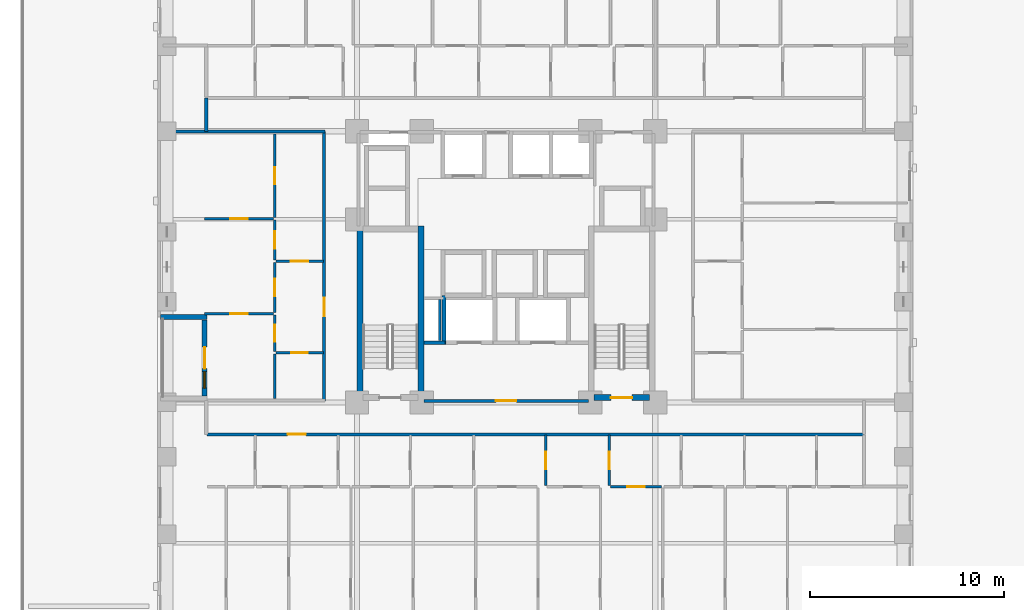
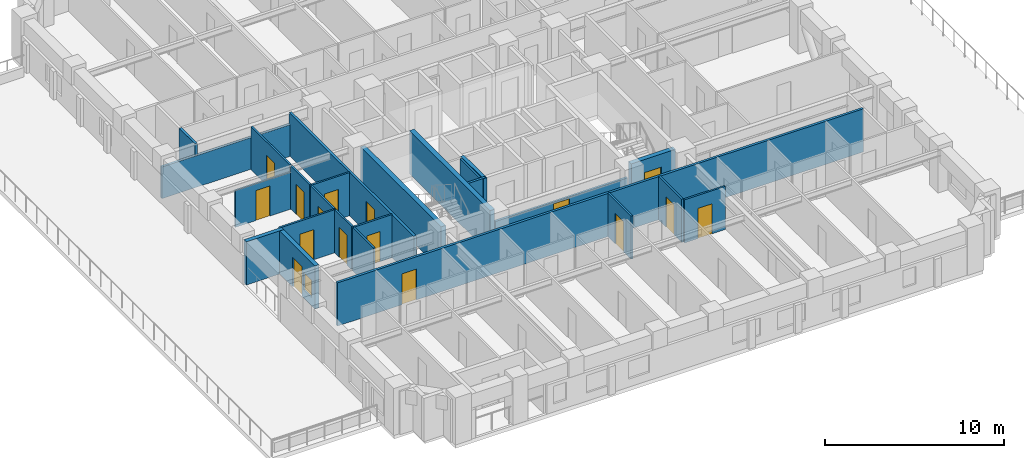
# One storey, part 4 of 14: 25 walls, 16 doors, 1 window, 17 openings.
"""IFC4 building model written with IfcOpenShell, lengths in metres."""

from ifc_helpers import new_model, si_unit, derived_unit, direction, frame, frame_2d, origin, place, context, subcontext, project, spatial, rectangle, extrude, material, layer, layer_set, type_object, element, fill, save


model = new_model("IFC4")

# Units and contexts
model_context = context("Model", 3, precision=1e-05, world=origin(), true_north=direction((0.0, 1.0)))
body_context = subcontext(model_context, "Body", "Model", "MODEL_VIEW")
ifc_project = project(units=[si_unit("LENGTHUNIT", "METRE"), si_unit("AREAUNIT", "SQUARE_METRE"), si_unit("VOLUMEUNIT", "CUBIC_METRE"), si_unit("PLANEANGLEUNIT", "RADIAN"), si_unit("MASSUNIT", "GRAM", prefix="KILO"), derived_unit("THERMALTRANSMITTANCEUNIT", [(si_unit("MASSUNIT", "GRAM", prefix="KILO"), 1), (si_unit("TIMEUNIT", "SECOND"), -3), (si_unit("THERMODYNAMICTEMPERATUREUNIT", "KELVIN"), -1)])], contexts=[model_context])

# Site, building, storey
site_placement = place(None, origin())
site = spatial("IfcSite", under=ifc_project, at=site_placement, CompositionType="ELEMENT")
building_placement = place(site_placement, origin())
building = spatial("IfcBuilding", under=site, at=building_placement, Name="Korrvale Station Residences", CompositionType="ELEMENT")
storey_placement = place(building_placement, frame((0.0, 0.0, 25.800048828125)))
storey = spatial("IfcBuildingStorey", under=building, at=storey_placement, Name="L05", CompositionType="ELEMENT", Elevation=25.800048828125)

# Walls
ifc_material_1 = material(Name="Concrete C70/85", Category="concrete")
ifc_layer_1 = layer(ifc_material_1, 0.300048828125, Name="Concrete C70/85")
ifc_layer_set_1 = layer_set([ifc_layer_1], Name="Concrete C70/85")
wall_type_1 = type_object("IfcWallType", Name="WAL-CORE-300-C70", PredefinedType="SHEAR", material=ifc_layer_set_1)
for number, where, z_axis, x_axis, name in (
    (1, (17.949951171875, 15.10009765625, 0.0), (0.0, 0.0, 1.0), (0.0, 1.0, 0.0), "L05 ST-1 Core Shear Wall West"),
    (2, (21.10009765625, 15.10009765625, 0.0), (0.0, 0.0, 1.0), (0.0, 1.0, 0.0), "L05 ST-1 Core Shear Wall East"),
):
    element("IfcWall", number, at=place(storey_placement, frame(where, z_axis=z_axis, x_axis=x_axis)), inside=storey, type_object=wall_type_1, Name=name, PredefinedType="SHEAR", context=body_context, shape_type="SweptSolid", body=[
        extrude(rectangle(XDim=9.0, YDim=0.300048828125, at=frame_2d((4.5, 0.0))), origin(), (0.0, 0.0, 1.0), 2.93994140625),
    ])

# Wall, opening, door
wall_1_placement = place(storey_placement, frame((30.050048828125, 15.25, 0.0), z_axis=(0.0, 0.0, 1.0), x_axis=(1.0, 0.0, 0.0)))
wall_1 = element("IfcWall", 3, at=wall_1_placement, inside=storey, type_object=wall_type_1, Name="L05 ST-2 Core Shear Wall South", PredefinedType="SHEAR", context=body_context, shape_type="SweptSolid", body=[
    extrude(rectangle(XDim=2.849853515625, YDim=0.300048828125, at=frame_2d((1.4248046875, 0.0))), origin(), (0.0, 0.0, 1.0), 2.93994140625),
])
opening_1_placement = place(wall_1_placement, frame((0.860107421875, 0.0, 0.0)))
opening_1 = element("IfcOpeningElement", 4, at=opening_1_placement, cuts=wall_1, Name="Opening SD-1100", PredefinedType="OPENING", context=body_context, shape_type="SweptSolid", body=[
    extrude(rectangle(XDim=1.10009765625, YDim=2.050048828125, at=frame_2d((0.550048828125, 1.02490234375))), frame((0.0, 0.16015625, 0.0), z_axis=(0.0, -1.0, 0.0), x_axis=(1.0, 0.0, 0.0)), (0.0, 0.0, 1.0), 0.320068359375),
])
ifc_material_2 = material(Name="Hollow-metal fire-rated stair door with closer", Category="steel")
door_type_1 = type_object("IfcDoorType", Name="DR-STAIR-1100", OperationType="NOTDEFINED", PredefinedType="DOOR", material=ifc_material_2)
door_1_placement = place(opening_1_placement, origin())
door_1 = element("IfcDoor", 5, at=door_1_placement, inside=storey, type_object=door_type_1, Name="L05 ST-2 Exit Stair Door", OperationType="SINGLE_SWING_RIGHT", OverallHeight=2.050048828125, OverallWidth=1.10009765625, PredefinedType="DOOR", context=body_context, shape_type="SweptSolid", body=[
    extrude(rectangle(XDim=1.10009765625, YDim=2.050048828125, at=frame_2d((0.550048828125, 1.02490234375))), frame((0.0, 0.02490234375, 0.0), z_axis=(0.0, -1.0, 0.0), x_axis=(1.0, 0.0, 0.0)), (0.0, 0.0, 1.0), 0.050048828125),
])
fill(opening_1, door_1)

# Wall, openings, door, window
ifc_material_3 = material(Name="Precast concrete C45/55", Category="concrete")
ifc_layer_2 = layer(ifc_material_3, 0.260009765625, Name="Precast concrete C45/55")
ifc_layer_set_2 = layer_set([ifc_layer_2], Name="Precast concrete C45/55")
wall_type_2 = type_object("IfcWallType", Name="WAL-EXT-LOG260", PredefinedType="SOLIDWALL", material=ifc_layer_set_2)
wall_2_placement = place(storey_placement, frame((9.929931640625, 15.333984375, 0.0), z_axis=(0.0, 0.0, 1.0), x_axis=(0.0, 1.0, 0.0)))
wall_2 = element("IfcWall", 6, at=wall_2_placement, inside=storey, type_object=wall_type_2, Name="L05 Recessed Loggia Wall BAL-L05-W1-B", PredefinedType="SOLIDWALL", context=body_context, shape_type="SweptSolid", body=[
    extrude(rectangle(XDim=3.93212890625, YDim=0.260009765625, at=frame_2d((1.966064453125, 0.0))), origin(), (0.0, 0.0, 1.0), 2.93994140625),
])
opening_2_placement = place(wall_2_placement, frame((1.416015625, 0.0, 0.0)))
opening_2 = element("IfcOpeningElement", 7, at=opening_2_placement, cuts=wall_2, Name="Opening BD-01", PredefinedType="OPENING", context=body_context, shape_type="SweptSolid", body=[
    extrude(rectangle(XDim=1.10009765625, YDim=2.0, at=frame_2d((0.550048828125, 1.0))), frame((0.0, 0.14013671875, 0.0), z_axis=(0.0, -1.0, 0.0), x_axis=(1.0, 0.0, 0.0)), (0.0, 0.0, 1.0), 0.280029296875),
])
opening_3_placement = place(wall_2_placement, frame((0.406005859375, 0.0, 0.550048828125)))
opening_3 = element("IfcOpeningElement", 8, at=opening_3_placement, cuts=wall_2, Name="Opening W-11", PredefinedType="OPENING", context=body_context, shape_type="SweptSolid", body=[
    extrude(rectangle(XDim=0.85009765625, YDim=1.199951171875, at=frame_2d((0.425048828125, 0.60009765625))), frame((0.0, 0.14013671875, 0.0), z_axis=(0.0, -1.0, 0.0), x_axis=(1.0, 0.0, 0.0)), (0.0, 0.0, 1.0), 0.280029296875),
])
ifc_material_4 = material(Name="Exterior thermally broken aluminium glazed balcony door", Category="aluminium")
door_type_2 = type_object("IfcDoorType", Name="DR-EXT-BAL", OperationType="NOTDEFINED", PredefinedType="DOOR", material=ifc_material_4)
door_2_placement = place(opening_2_placement, origin())
door_2 = element("IfcDoor", 9, at=door_2_placement, inside=storey, type_object=door_type_2, Name="L05 Loggia Balcony Door BAL-L05-W1", OperationType="SINGLE_SWING_LEFT", OverallHeight=2.0, OverallWidth=1.10009765625, PredefinedType="DOOR", context=body_context, shape_type="SweptSolid", body=[
    extrude(rectangle(XDim=1.10009765625, YDim=2.0, at=frame_2d((0.550048828125, 1.0))), frame((0.0, 0.02490234375, 0.0), z_axis=(0.0, -1.0, 0.0), x_axis=(1.0, 0.0, 0.0)), (0.0, 0.0, 1.0), 0.050048828125),
])
fill(opening_2, door_2)
ifc_material_5 = material(Name="Thermally broken aluminium frame with triple low-e glazing", Category="aluminium")
window_type = type_object("IfcWindowType", Name="WIN-W11", PartitioningType="SINGLE_PANEL", PredefinedType="WINDOW", material=ifc_material_5)
window_placement = place(opening_3_placement, origin())
window = element("IfcWindow", 10, at=window_placement, inside=storey, type_object=window_type, Name="L05 Punched Window 23", OverallHeight=1.199951171875, OverallWidth=0.85009765625, PartitioningType="SINGLE_PANEL", PredefinedType="WINDOW", context=body_context, shape_type="SweptSolid", body=[
    extrude(rectangle(XDim=0.85009765625, YDim=1.199951171875, at=frame_2d((0.425048828125, 0.60009765625))), frame((0.0, 0.030029296875, 0.0), z_axis=(0.0, -1.0, 0.0), x_axis=(1.0, 0.0, 0.0)), (0.0, 0.0, 1.0), 0.06005859375),
])
fill(opening_3, window)

# Walls
wall_3_placement = place(storey_placement, frame((10.06005859375, 19.39990234375, 0.0), z_axis=(0.0, 0.0, 1.0), x_axis=(-1.0, 0.0, 0.0)))
element("IfcWall", 11, at=wall_3_placement, inside=storey, type_object=wall_type_2, Name="L05 Recessed Loggia Wall BAL-L05-W1-R", PredefinedType="SOLIDWALL", context=body_context, shape_type="SweptSolid", body=[
    extrude(rectangle(XDim=2.400146484375, YDim=0.260009765625, at=frame_2d((1.2001953125, 0.0))), origin(), (0.0, 0.0, 1.0), 2.93994140625),
])
ifc_material_6 = material(Name="Acoustic steel-stud gypsum board partition", Category="steel")
ifc_layer_3 = layer(ifc_material_6, 0.1201171875, Name="Acoustic steel-stud gypsum board partition")
ifc_layer_set_3 = layer_set([ifc_layer_3], Name="Acoustic steel-stud gypsum board partition")
wall_type_3 = type_object("IfcWallType", Name="WAL-PART-125", PredefinedType="PARTITIONING", material=ifc_layer_set_3)
wall_4_placement = place(storey_placement, frame((22.080078125, 18.199951171875, 0.0), z_axis=(0.0, 0.0, 1.0), x_axis=(0.0, 1.0, 0.0)))
element("IfcWall", 12, at=wall_4_placement, inside=storey, type_object=wall_type_3, Name="L05 Core Partition CW-RSWT", PredefinedType="PARTITIONING", context=body_context, shape_type="SweptSolid", body=[
    extrude(rectangle(XDim=2.1201171875, YDim=0.1201171875, at=frame_2d((1.06005859375, 0.0))), origin(), (0.0, 0.0, 1.0), 2.93994140625),
])

# Wall, opening, door
wall_5_placement = place(storey_placement, frame((27.550048828125, 10.7099609375, 0.0), z_axis=(0.0, 0.0, 1.0), x_axis=(0.0, 1.0, 0.0)))
wall_5 = element("IfcWall", 13, at=wall_5_placement, inside=storey, type_object=wall_type_3, Name="L05 Suite Partition U01-V45", PredefinedType="PARTITIONING", context=body_context, shape_type="SweptSolid", body=[
    extrude(rectangle(XDim=2.60009765625, YDim=0.1201171875, at=frame_2d((1.300048828125, 0.0))), origin(), (0.0, 0.0, 1.0), 2.93994140625),
])
opening_4_placement = place(wall_5_placement, frame((0.85009765625, 0.0, 0.0)))
opening_4 = element("IfcOpeningElement", 14, at=opening_4_placement, cuts=wall_5, Name="Opening DI-900", PredefinedType="OPENING", context=body_context, shape_type="SweptSolid", body=[
    extrude(rectangle(XDim=0.89990234375, YDim=2.050048828125, at=frame_2d((0.449951171875, 1.02490234375))), frame((0.0, 0.070068359375, 0.0), z_axis=(0.0, -1.0, 0.0), x_axis=(1.0, 0.0, 0.0)), (0.0, 0.0, 1.0), 0.14013671875),
])
ifc_material_7 = material(Name="Painted solid-core timber interior room door", Category="wood")
door_type_3 = type_object("IfcDoorType", Name="DR-INT-900", OperationType="NOTDEFINED", PredefinedType="DOOR", material=ifc_material_7)
door_3_placement = place(opening_4_placement, origin())
door_3 = element("IfcDoor", 15, at=door_3_placement, inside=storey, type_object=door_type_3, Name="L05 Studio Apartment L05-U01 Storage Closet 3 Door", OperationType="SINGLE_SWING_LEFT", OverallHeight=2.050048828125, OverallWidth=0.89990234375, PredefinedType="DOOR", context=body_context, shape_type="SweptSolid", body=[
    extrude(rectangle(XDim=0.89990234375, YDim=2.050048828125, at=frame_2d((0.449951171875, 1.02490234375))), frame((0.0, 0.02490234375, 0.0), z_axis=(0.0, -1.0, 0.0), x_axis=(1.0, 0.0, 0.0)), (0.0, 0.0, 1.0), 0.050048828125),
])
fill(opening_4, door_3)

wall_6_placement = place(storey_placement, frame((30.820068359375, 10.7099609375, 0.0), z_axis=(0.0, 0.0, 1.0), x_axis=(0.0, 1.0, 0.0)))
wall_6 = element("IfcWall", 16, at=wall_6_placement, inside=storey, type_object=wall_type_3, Name="L05 Suite Partition U01-V56", PredefinedType="PARTITIONING", context=body_context, shape_type="SweptSolid", body=[
    extrude(rectangle(XDim=2.60009765625, YDim=0.1201171875, at=frame_2d((1.300048828125, 0.0))), origin(), (0.0, 0.0, 1.0), 2.93994140625),
])
opening_5_placement = place(wall_6_placement, frame((0.85009765625, 0.0, 0.0)))
opening_5 = element("IfcOpeningElement", 17, at=opening_5_placement, cuts=wall_6, Name="Opening DI-900", PredefinedType="OPENING", context=body_context, shape_type="SweptSolid", body=[
    extrude(rectangle(XDim=0.89990234375, YDim=2.050048828125, at=frame_2d((0.449951171875, 1.02490234375))), frame((0.0, 0.070068359375, 0.0), z_axis=(0.0, -1.0, 0.0), x_axis=(1.0, 0.0, 0.0)), (0.0, 0.0, 1.0), 0.14013671875),
])
door_4_placement = place(opening_5_placement, origin())
door_4 = element("IfcDoor", 18, at=door_4_placement, inside=storey, type_object=door_type_3, Name="L05 Studio Apartment L05-U01 Storage Closet 4 Door", OperationType="SINGLE_SWING_LEFT", OverallHeight=2.050048828125, OverallWidth=0.89990234375, PredefinedType="DOOR", context=body_context, shape_type="SweptSolid", body=[
    extrude(rectangle(XDim=0.89990234375, YDim=2.050048828125, at=frame_2d((0.449951171875, 1.02490234375))), frame((0.0, 0.02490234375, 0.0), z_axis=(0.0, -1.0, 0.0), x_axis=(1.0, 0.0, 0.0)), (0.0, 0.0, 1.0), 0.050048828125),
])
fill(opening_5, door_4)

wall_7_placement = place(storey_placement, frame((30.8798828125, 10.64990234375, 0.0), z_axis=(0.0, 0.0, 1.0), x_axis=(1.0, 0.0, 0.0)))
wall_7 = element("IfcWall", 19, at=wall_7_placement, inside=storey, type_object=wall_type_3, Name="L05 Suite Partition U01-H617", PredefinedType="PARTITIONING", context=body_context, shape_type="SweptSolid", body=[
    extrude(rectangle(XDim=2.650146484375, YDim=0.1201171875, at=frame_2d((1.3251953125, 0.0))), origin(), (0.0, 0.0, 1.0), 2.93994140625),
])
opening_6_placement = place(wall_7_placement, frame((0.875, 0.0, 0.0)))
opening_6 = element("IfcOpeningElement", 20, at=opening_6_placement, cuts=wall_7, Name="Opening DI-900", PredefinedType="OPENING", context=body_context, shape_type="SweptSolid", body=[
    extrude(rectangle(XDim=0.89990234375, YDim=2.050048828125, at=frame_2d((0.449951171875, 1.02490234375))), frame((0.0, 0.070068359375, 0.0), z_axis=(0.0, -1.0, 0.0), x_axis=(1.0, 0.0, 0.0)), (0.0, 0.0, 1.0), 0.14013671875),
])
door_5_placement = place(opening_6_placement, origin())
door_5 = element("IfcDoor", 21, at=door_5_placement, inside=storey, type_object=door_type_3, Name="L05 Studio Apartment L05-U01 Storage Closet 5 Door", OperationType="SINGLE_SWING_RIGHT", OverallHeight=2.050048828125, OverallWidth=0.89990234375, PredefinedType="DOOR", context=body_context, shape_type="SweptSolid", body=[
    extrude(rectangle(XDim=0.89990234375, YDim=2.050048828125, at=frame_2d((0.449951171875, 1.02490234375))), frame((0.0, 0.02490234375, 0.0), z_axis=(0.0, -1.0, 0.0), x_axis=(1.0, 0.0, 0.0)), (0.0, 0.0, 1.0), 0.050048828125),
])
fill(opening_6, door_5)

wall_8_placement = place(storey_placement, frame((13.610107421875, 22.2900390625, 0.0), z_axis=(0.0, 0.0, 1.0), x_axis=(1.0, 0.0, 0.0)))
wall_8 = element("IfcWall", 22, at=wall_8_placement, inside=storey, type_object=wall_type_3, Name="L05 Suite Partition U04-H02", PredefinedType="PARTITIONING", context=body_context, shape_type="SweptSolid", body=[
    extrude(rectangle(XDim=2.449951171875, YDim=0.1201171875, at=frame_2d((1.22509765625, 0.0))), origin(), (0.0, 0.0, 1.0), 2.93994140625),
])
opening_7_placement = place(wall_8_placement, frame((0.77490234375, 0.0, 0.0)))
opening_7 = element("IfcOpeningElement", 23, at=opening_7_placement, cuts=wall_8, Name="Opening DI-900", PredefinedType="OPENING", context=body_context, shape_type="SweptSolid", body=[
    extrude(rectangle(XDim=0.89990234375, YDim=2.050048828125, at=frame_2d((0.449951171875, 1.02490234375))), frame((0.0, 0.070068359375, 0.0), z_axis=(0.0, -1.0, 0.0), x_axis=(1.0, 0.0, 0.0)), (0.0, 0.0, 1.0), 0.14013671875),
])
door_6_placement = place(opening_7_placement, origin())
door_6 = element("IfcDoor", 24, at=door_6_placement, inside=storey, type_object=door_type_3, Name="L05 Apartment 2BR L05-U04 Wardrobe Storage Room Door", OperationType="SINGLE_SWING_LEFT", OverallHeight=2.050048828125, OverallWidth=0.89990234375, PredefinedType="DOOR", context=body_context, shape_type="SweptSolid", body=[
    extrude(rectangle(XDim=0.89990234375, YDim=2.050048828125, at=frame_2d((0.449951171875, 1.02490234375))), frame((0.0, 0.02490234375, 0.0), z_axis=(0.0, -1.0, 0.0), x_axis=(1.0, 0.0, 0.0)), (0.0, 0.0, 1.0), 0.050048828125),
])
fill(opening_7, door_6)

wall_9_placement = place(storey_placement, frame((13.550048828125, 22.35009765625, 0.0), z_axis=(0.0, 0.0, 1.0), x_axis=(0.0, 1.0, 0.0)))
wall_9 = element("IfcWall", 25, at=wall_9_placement, inside=storey, type_object=wall_type_3, Name="L05 Suite Partition U04-V04", PredefinedType="PARTITIONING", context=body_context, shape_type="SweptSolid", body=[
    extrude(rectangle(XDim=2.081787109375, YDim=0.1201171875, at=frame_2d((1.041015625, 0.0))), origin(), (0.0, 0.0, 1.0), 2.93994140625),
])
opening_8_placement = place(wall_9_placement, frame((0.591064453125, 0.0, 0.0)))
opening_8 = element("IfcOpeningElement", 26, at=opening_8_placement, cuts=wall_9, Name="Opening DI-900", PredefinedType="OPENING", context=body_context, shape_type="SweptSolid", body=[
    extrude(rectangle(XDim=0.89990234375, YDim=2.050048828125, at=frame_2d((0.449951171875, 1.02490234375))), frame((0.0, 0.070068359375, 0.0), z_axis=(0.0, -1.0, 0.0), x_axis=(1.0, 0.0, 0.0)), (0.0, 0.0, 1.0), 0.14013671875),
])
door_7_placement = place(opening_8_placement, origin())
door_7 = element("IfcDoor", 27, at=door_7_placement, inside=storey, type_object=door_type_3, Name="L05 Apartment 2BR L05-U04 Wardrobe Storage Room Door", OperationType="SINGLE_SWING_RIGHT", OverallHeight=2.050048828125, OverallWidth=0.89990234375, PredefinedType="DOOR", context=body_context, shape_type="SweptSolid", body=[
    extrude(rectangle(XDim=0.89990234375, YDim=2.050048828125, at=frame_2d((0.449951171875, 1.02490234375))), frame((0.0, 0.02490234375, 0.0), z_axis=(0.0, -1.0, 0.0), x_axis=(1.0, 0.0, 0.0)), (0.0, 0.0, 1.0), 0.050048828125),
])
fill(opening_8, door_7)

wall_10_placement = place(storey_placement, frame((13.550048828125, 24.552001953125, 0.0), z_axis=(0.0, 0.0, 1.0), x_axis=(0.0, 1.0, 0.0)))
wall_10 = element("IfcWall", 28, at=wall_10_placement, inside=storey, type_object=wall_type_3, Name="L05 Suite Partition U04-V05", PredefinedType="PARTITIONING", context=body_context, shape_type="SweptSolid", body=[
    extrude(rectangle(XDim=4.30810546875, YDim=0.1201171875, at=frame_2d((2.154052734375, 0.0))), origin(), (0.0, 0.0, 1.0), 2.93994140625),
])
opening_9_placement = place(wall_10_placement, frame((1.7041015625, 0.0, 0.0)))
opening_9 = element("IfcOpeningElement", 29, at=opening_9_placement, cuts=wall_10, Name="Opening DI-900", PredefinedType="OPENING", context=body_context, shape_type="SweptSolid", body=[
    extrude(rectangle(XDim=0.89990234375, YDim=2.050048828125, at=frame_2d((0.449951171875, 1.02490234375))), frame((0.0, 0.070068359375, 0.0), z_axis=(0.0, -1.0, 0.0), x_axis=(1.0, 0.0, 0.0)), (0.0, 0.0, 1.0), 0.14013671875),
])
door_8_placement = place(opening_9_placement, origin())
door_8 = element("IfcDoor", 30, at=door_8_placement, inside=storey, type_object=door_type_3, Name="L05 Apartment 2BR L05-U04 Wardrobe Storage Room Door", OperationType="SINGLE_SWING_LEFT", OverallHeight=2.050048828125, OverallWidth=0.89990234375, PredefinedType="DOOR", context=body_context, shape_type="SweptSolid", body=[
    extrude(rectangle(XDim=0.89990234375, YDim=2.050048828125, at=frame_2d((0.449951171875, 1.02490234375))), frame((0.0, 0.02490234375, 0.0), z_axis=(0.0, -1.0, 0.0), x_axis=(1.0, 0.0, 0.0)), (0.0, 0.0, 1.0), 0.050048828125),
])
fill(opening_9, door_8)

wall_11_placement = place(storey_placement, frame((13.610107421875, 17.570068359375, 0.0), z_axis=(0.0, 0.0, 1.0), x_axis=(1.0, 0.0, 0.0)))
wall_11 = element("IfcWall", 31, at=wall_11_placement, inside=storey, type_object=wall_type_3, Name="L05 Suite Partition U04-H12", PredefinedType="PARTITIONING", context=body_context, shape_type="SweptSolid", body=[
    extrude(rectangle(XDim=2.449951171875, YDim=0.1201171875, at=frame_2d((1.22509765625, 0.0))), origin(), (0.0, 0.0, 1.0), 2.93994140625),
])
opening_10_placement = place(wall_11_placement, frame((0.794921875, 0.0, 0.0)))
opening_10 = element("IfcOpeningElement", 32, at=opening_10_placement, cuts=wall_11, Name="Opening DB-860", PredefinedType="OPENING", context=body_context, shape_type="SweptSolid", body=[
    extrude(rectangle(XDim=0.860107421875, YDim=2.050048828125, at=frame_2d((0.43017578125, 1.02490234375))), frame((0.0, 0.070068359375, 0.0), z_axis=(0.0, -1.0, 0.0), x_axis=(1.0, 0.0, 0.0)), (0.0, 0.0, 1.0), 0.14013671875),
])
ifc_material_8 = material(Name="Moisture-resistant solid-core bathroom door", Category="timber")
door_type_4 = type_object("IfcDoorType", Name="DR-BATH-860", OperationType="NOTDEFINED", PredefinedType="DOOR", material=ifc_material_8)
door_9_placement = place(opening_10_placement, origin())
door_9 = element("IfcDoor", 33, at=door_9_placement, inside=storey, type_object=door_type_4, Name="L05 Apartment 2BR L05-U04 Bathroom Door", OperationType="SINGLE_SWING_RIGHT", OverallHeight=2.050048828125, OverallWidth=0.860107421875, PredefinedType="DOOR", context=body_context, shape_type="SweptSolid", body=[
    extrude(rectangle(XDim=0.860107421875, YDim=2.050048828125, at=frame_2d((0.43017578125, 1.02490234375))), frame((0.0, 0.02490234375, 0.0), z_axis=(0.0, -1.0, 0.0), x_axis=(1.0, 0.0, 0.0)), (0.0, 0.0, 1.0), 0.050048828125),
])
fill(opening_10, door_9)

# Wall
wall_12_placement = place(storey_placement, frame((13.550048828125, 15.2099609375, 0.0), z_axis=(0.0, 0.0, 1.0), x_axis=(0.0, 1.0, 0.0)))
element("IfcWall", 34, at=wall_12_placement, inside=storey, type_object=wall_type_3, Name="L05 Suite Partition U04-V13", PredefinedType="PARTITIONING", context=body_context, shape_type="SweptSolid", body=[
    extrude(rectangle(XDim=2.300048828125, YDim=0.1201171875, at=frame_2d((1.14990234375, 0.0))), origin(), (0.0, 0.0, 1.0), 2.93994140625),
])

# Wall, opening, door
wall_13_placement = place(storey_placement, frame((13.550048828125, 17.6298828125, 0.0), z_axis=(0.0, 0.0, 1.0), x_axis=(0.0, 1.0, 0.0)))
wall_13 = element("IfcWall", 35, at=wall_13_placement, inside=storey, type_object=wall_type_3, Name="L05 Suite Partition U04-V23", PredefinedType="PARTITIONING", context=body_context, shape_type="SweptSolid", body=[
    extrude(rectangle(XDim=1.88818359375, YDim=0.1201171875, at=frame_2d((0.944091796875, 0.0))), origin(), (0.0, 0.0, 1.0), 2.93994140625),
])
opening_11_placement = place(wall_13_placement, frame((0.493896484375, 0.0, 0.0)))
opening_11 = element("IfcOpeningElement", 36, at=opening_11_placement, cuts=wall_13, Name="Opening DI-900", PredefinedType="OPENING", context=body_context, shape_type="SweptSolid", body=[
    extrude(rectangle(XDim=0.89990234375, YDim=2.050048828125, at=frame_2d((0.449951171875, 1.02490234375))), frame((0.0, 0.070068359375, 0.0), z_axis=(0.0, -1.0, 0.0), x_axis=(1.0, 0.0, 0.0)), (0.0, 0.0, 1.0), 0.14013671875),
])
door_10_placement = place(opening_11_placement, origin())
door_10 = element("IfcDoor", 37, at=door_10_placement, inside=storey, type_object=door_type_3, Name="L05 Apartment 2BR L05-U04 Kitchen Door", OperationType="SINGLE_SWING_LEFT", OverallHeight=2.050048828125, OverallWidth=0.89990234375, PredefinedType="DOOR", context=body_context, shape_type="SweptSolid", body=[
    extrude(rectangle(XDim=0.89990234375, YDim=2.050048828125, at=frame_2d((0.449951171875, 1.02490234375))), frame((0.0, 0.02490234375, 0.0), z_axis=(0.0, -1.0, 0.0), x_axis=(1.0, 0.0, 0.0)), (0.0, 0.0, 1.0), 0.050048828125),
])
fill(opening_11, door_10)

wall_14_placement = place(storey_placement, frame((13.550048828125, 19.637939453125, 0.0), z_axis=(0.0, 0.0, 1.0), x_axis=(0.0, 1.0, 0.0)))
wall_14 = element("IfcWall", 38, at=wall_14_placement, inside=storey, type_object=wall_type_3, Name="L05 Suite Partition U04-V24", PredefinedType="PARTITIONING", context=body_context, shape_type="SweptSolid", body=[
    extrude(rectangle(XDim=2.592041015625, YDim=0.1201171875, at=frame_2d((1.2958984375, 0.0))), origin(), (0.0, 0.0, 1.0), 2.93994140625),
])
opening_12_placement = place(wall_14_placement, frame((0.845947265625, 0.0, 0.0)))
opening_12 = element("IfcOpeningElement", 39, at=opening_12_placement, cuts=wall_14, Name="Opening DI-900", PredefinedType="OPENING", context=body_context, shape_type="SweptSolid", body=[
    extrude(rectangle(XDim=0.89990234375, YDim=2.050048828125, at=frame_2d((0.449951171875, 1.02490234375))), frame((0.0, 0.070068359375, 0.0), z_axis=(0.0, -1.0, 0.0), x_axis=(1.0, 0.0, 0.0)), (0.0, 0.0, 1.0), 0.14013671875),
])
door_11_placement = place(opening_12_placement, origin())
door_11 = element("IfcDoor", 40, at=door_11_placement, inside=storey, type_object=door_type_3, Name="L05 Apartment 2BR L05-U04 Kitchen Door", OperationType="SINGLE_SWING_RIGHT", OverallHeight=2.050048828125, OverallWidth=0.89990234375, PredefinedType="DOOR", context=body_context, shape_type="SweptSolid", body=[
    extrude(rectangle(XDim=0.89990234375, YDim=2.050048828125, at=frame_2d((0.449951171875, 1.02490234375))), frame((0.0, 0.02490234375, 0.0), z_axis=(0.0, -1.0, 0.0), x_axis=(1.0, 0.0, 0.0)), (0.0, 0.0, 1.0), 0.050048828125),
])
fill(opening_12, door_11)

wall_15_placement = place(storey_placement, frame((9.929931640625, 19.577880859375, 0.0), z_axis=(0.0, 0.0, 1.0), x_axis=(1.0, 0.0, 0.0)))
wall_15 = element("IfcWall", 41, at=wall_15_placement, inside=storey, type_object=wall_type_3, Name="L05 Suite Partition U04-H34", PredefinedType="PARTITIONING", context=body_context, shape_type="SweptSolid", body=[
    extrude(rectangle(XDim=3.56005859375, YDim=0.1201171875, at=frame_2d((1.780029296875, 0.0))), origin(), (0.0, 0.0, 1.0), 2.93994140625),
])
opening_13_placement = place(wall_15_placement, frame((1.330078125, 0.0, 0.0)))
opening_13 = element("IfcOpeningElement", 42, at=opening_13_placement, cuts=wall_15, Name="Opening DI-900", PredefinedType="OPENING", context=body_context, shape_type="SweptSolid", body=[
    extrude(rectangle(XDim=0.89990234375, YDim=2.050048828125, at=frame_2d((0.449951171875, 1.02490234375))), frame((0.0, 0.070068359375, 0.0), z_axis=(0.0, -1.0, 0.0), x_axis=(1.0, 0.0, 0.0)), (0.0, 0.0, 1.0), 0.14013671875),
])
door_12_placement = place(opening_13_placement, origin())
door_12 = element("IfcDoor", 43, at=door_12_placement, inside=storey, type_object=door_type_3, Name="L05 Apartment 2BR L05-U04 Bedroom 1 Door", OperationType="SINGLE_SWING_LEFT", OverallHeight=2.050048828125, OverallWidth=0.89990234375, PredefinedType="DOOR", context=body_context, shape_type="SweptSolid", body=[
    extrude(rectangle(XDim=0.89990234375, YDim=2.050048828125, at=frame_2d((0.449951171875, 1.02490234375))), frame((0.0, 0.02490234375, 0.0), z_axis=(0.0, -1.0, 0.0), x_axis=(1.0, 0.0, 0.0)), (0.0, 0.0, 1.0), 0.050048828125),
])
fill(opening_13, door_12)

wall_16_placement = place(storey_placement, frame((9.929931640625, 24.491943359375, 0.0), z_axis=(0.0, 0.0, 1.0), x_axis=(1.0, 0.0, 0.0)))
wall_16 = element("IfcWall", 44, at=wall_16_placement, inside=storey, type_object=wall_type_3, Name="L05 Suite Partition U04-H45", PredefinedType="PARTITIONING", context=body_context, shape_type="SweptSolid", body=[
    extrude(rectangle(XDim=3.56005859375, YDim=0.1201171875, at=frame_2d((1.780029296875, 0.0))), origin(), (0.0, 0.0, 1.0), 2.508056640625),
])
opening_14_placement = place(wall_16_placement, frame((1.330078125, 0.0, 0.0)))
opening_14 = element("IfcOpeningElement", 45, at=opening_14_placement, cuts=wall_16, Name="Opening DI-900", PredefinedType="OPENING", context=body_context, shape_type="SweptSolid", body=[
    extrude(rectangle(XDim=0.89990234375, YDim=2.050048828125, at=frame_2d((0.449951171875, 1.02490234375))), frame((0.0, 0.070068359375, 0.0), z_axis=(0.0, -1.0, 0.0), x_axis=(1.0, 0.0, 0.0)), (0.0, 0.0, 1.0), 0.14013671875),
])
door_13_placement = place(opening_14_placement, origin())
door_13 = element("IfcDoor", 46, at=door_13_placement, inside=storey, type_object=door_type_3, Name="L05 Apartment 2BR L05-U04 Living and Dining Room Door", OperationType="SINGLE_SWING_RIGHT", OverallHeight=2.050048828125, OverallWidth=0.89990234375, PredefinedType="DOOR", context=body_context, shape_type="SweptSolid", body=[
    extrude(rectangle(XDim=0.89990234375, YDim=2.050048828125, at=frame_2d((0.449951171875, 1.02490234375))), frame((0.0, 0.02490234375, 0.0), z_axis=(0.0, -1.0, 0.0), x_axis=(1.0, 0.0, 0.0)), (0.0, 0.0, 1.0), 0.050048828125),
])
fill(opening_14, door_13)

ifc_material_9 = material(Name="Fire-rated twin-stud gypsum and mineral wool shaftwall assembly", Category="gypsum")
ifc_layer_4 = layer(ifc_material_9, 0.159912109375, Name="Fire-rated twin-stud gypsum and mineral wool shaftwall assembly")
ifc_layer_set_4 = layer_set([ifc_layer_4], Name="Fire-rated twin-stud gypsum and mineral wool shaftwall assembly")
wall_type_4 = type_object("IfcWallType", Name="WAL-PART-200", PredefinedType="PARTITIONING", material=ifc_layer_set_4)
wall_17_placement = place(storey_placement, frame((21.25, 15.080078125, 0.0), z_axis=(0.0, 0.0, 1.0), x_axis=(1.0, 0.0, 0.0)))
wall_17 = element("IfcWall", 47, at=wall_17_placement, inside=storey, type_object=wall_type_4, Name="L05 Core Partition CW-FFL-S", PredefinedType="PARTITIONING", context=body_context, shape_type="SweptSolid", body=[
    extrude(rectangle(XDim=8.5, YDim=0.159912109375, at=frame_2d((4.25, 0.0))), origin(), (0.0, 0.0, 1.0), 2.155029296875),
])
opening_15_placement = place(wall_17_placement, frame((3.72509765625, 0.0, 0.0)))
opening_15 = element("IfcOpeningElement", 48, at=opening_15_placement, cuts=wall_17, Name="Opening FD-1050", PredefinedType="OPENING", context=body_context, shape_type="SweptSolid", body=[
    extrude(rectangle(XDim=1.050048828125, YDim=2.050048828125, at=frame_2d((0.52490234375, 1.02490234375))), frame((0.0, 0.08984375, 0.0), z_axis=(0.0, -1.0, 0.0), x_axis=(1.0, 0.0, 0.0)), (0.0, 0.0, 1.0), 0.179931640625),
])
ifc_material_10 = material(Name="Fire-rated mineral-core timber lobby door", Category="wood")
door_type_5 = type_object("IfcDoorType", Name="DR-CORE-1050", OperationType="NOTDEFINED", PredefinedType="DOOR", material=ifc_material_10)
door_14_placement = place(opening_15_placement, origin())
door_14 = element("IfcDoor", 49, at=door_14_placement, inside=storey, type_object=door_type_5, Name="L05 Firefighting Lobby Entry Door", OperationType="SINGLE_SWING_LEFT", OverallHeight=2.050048828125, OverallWidth=1.050048828125, PredefinedType="DOOR", context=body_context, shape_type="SweptSolid", body=[
    extrude(rectangle(XDim=1.050048828125, YDim=2.050048828125, at=frame_2d((0.52490234375, 1.02490234375))), frame((0.0, 0.02490234375, 0.0), z_axis=(0.0, -1.0, 0.0), x_axis=(1.0, 0.0, 0.0)), (0.0, 0.0, 1.0), 0.050048828125),
])
fill(opening_15, door_14)

# Walls
wall_18_placement = place(storey_placement, frame((21.25, 18.080078125, 0.0), z_axis=(0.0, 0.0, 1.0), x_axis=(1.0, 0.0, 0.0)))
element("IfcWall", 50, at=wall_18_placement, inside=storey, type_object=wall_type_4, Name="L05 Core Partition CW-FFL-N1", PredefinedType="PARTITIONING", context=body_context, shape_type="SweptSolid", body=[
    extrude(rectangle(XDim=1.10009765625, YDim=0.159912109375, at=frame_2d((0.550048828125, 0.0))), origin(), (0.0, 0.0, 1.0), 2.93994140625),
])
wall_19_placement = place(storey_placement, frame((10.02001953125, 28.97998046875, 0.0), z_axis=(0.0, 0.0, 1.0), x_axis=(0.0, 1.0, 0.0)))
element("IfcWall", 51, at=wall_19_placement, inside=storey, type_object=wall_type_4, Name="L05 Corridor North West Cap", PredefinedType="PARTITIONING", context=body_context, shape_type="SweptSolid", body=[
    extrude(rectangle(XDim=1.739990234375, YDim=0.159912109375, at=frame_2d((0.8701171875, 0.0))), origin(), (0.0, 0.0, 1.0), 2.93994140625),
])
wall_20_placement = place(storey_placement, frame((7.780029296875, 28.97998046875, 0.0), z_axis=(0.0, 0.0, 1.0), x_axis=(1.0, 0.0, 0.0)))
element("IfcWall", 52, at=wall_20_placement, inside=storey, type_object=wall_type_4, Name="L05 West Wing North Corridor Wall", PredefinedType="PARTITIONING", context=body_context, shape_type="SweptSolid", body=[
    extrude(rectangle(XDim=8.35986328125, YDim=0.159912109375, at=frame_2d((4.179931640625, 0.0))), origin(), (0.0, 0.0, 1.0), 2.155029296875),
])

# Wall, opening, door
wall_21_placement = place(storey_placement, frame((10.050048828125, 13.35009765625, 0.0), z_axis=(0.0, 0.0, 1.0), x_axis=(1.0, 0.0, 0.0)))
wall_21 = element("IfcWall", 53, at=wall_21_placement, inside=storey, type_object=wall_type_4, Name="L05 Rated Corridor Wall S", PredefinedType="PARTITIONING", context=body_context, shape_type="SweptSolid", body=[
    extrude(rectangle(XDim=33.89990234375, YDim=0.159912109375, at=frame_2d((16.949951171875, 0.0))), origin(), (0.0, 0.0, 1.0), 2.93994140625),
])
opening_16_placement = place(wall_21_placement, frame((4.1650390625, 0.0, 0.0)))
opening_16 = element("IfcOpeningElement", 54, at=opening_16_placement, cuts=wall_21, Name="Opening UD-950", PredefinedType="OPENING", context=body_context, shape_type="SweptSolid", body=[
    extrude(rectangle(XDim=0.949951171875, YDim=2.10009765625, at=frame_2d((0.47509765625, 1.050048828125))), frame((0.0, 0.08984375, 0.0), z_axis=(0.0, -1.0, 0.0), x_axis=(1.0, 0.0, 0.0)), (0.0, 0.0, 1.0), 0.179931640625),
])
ifc_material_11 = material(Name="Solid-core acoustic oak apartment entrance door", Category="timber")
door_type_6 = type_object("IfcDoorType", Name="DR-UNIT-950", OperationType="NOTDEFINED", PredefinedType="DOOR", material=ifc_material_11)
door_15_placement = place(opening_16_placement, origin())
door_15 = element("IfcDoor", 55, at=door_15_placement, inside=storey, type_object=door_type_6, Name="L05 Apartment L05-U01 Entrance Door", OperationType="SINGLE_SWING_RIGHT", OverallHeight=2.10009765625, OverallWidth=0.949951171875, PredefinedType="DOOR", context=body_context, shape_type="SweptSolid", body=[
    extrude(rectangle(XDim=0.949951171875, YDim=2.10009765625, at=frame_2d((0.47509765625, 1.050048828125))), frame((0.0, 0.02490234375, 0.0), z_axis=(0.0, -1.0, 0.0), x_axis=(1.0, 0.0, 0.0)), (0.0, 0.0, 1.0), 0.050048828125),
])
fill(opening_16, door_15)

wall_22_placement = place(storey_placement, frame((16.10009765625, 15.070068359375, 0.0), z_axis=(0.0, 0.0, 1.0), x_axis=(0.0, 1.0, 0.0)))
wall_22 = element("IfcWall", 56, at=wall_22_placement, inside=storey, type_object=wall_type_4, Name="L05 Rated Corridor Wall W", PredefinedType="PARTITIONING", context=body_context, shape_type="SweptSolid", body=[
    extrude(rectangle(XDim=13.929931640625, YDim=0.159912109375, at=frame_2d((6.96484375, 0.0))), origin(), (0.0, 0.0, 1.0), 2.93994140625),
])
opening_17_placement = place(wall_22_placement, frame((4.385009765625, 0.0, 0.0)))
opening_17 = element("IfcOpeningElement", 57, at=opening_17_placement, cuts=wall_22, Name="Opening UD-950", PredefinedType="OPENING", context=body_context, shape_type="SweptSolid", body=[
    extrude(rectangle(XDim=0.949951171875, YDim=2.10009765625, at=frame_2d((0.47509765625, 1.050048828125))), frame((0.0, 0.08984375, 0.0), z_axis=(0.0, -1.0, 0.0), x_axis=(1.0, 0.0, 0.0)), (0.0, 0.0, 1.0), 0.179931640625),
])
door_16_placement = place(opening_17_placement, origin())
door_16 = element("IfcDoor", 58, at=door_16_placement, inside=storey, type_object=door_type_6, Name="L05 Apartment L05-U04 Entrance Door", OperationType="SINGLE_SWING_LEFT", OverallHeight=2.10009765625, OverallWidth=0.949951171875, PredefinedType="DOOR", context=body_context, shape_type="SweptSolid", body=[
    extrude(rectangle(XDim=0.949951171875, YDim=2.10009765625, at=frame_2d((0.47509765625, 1.050048828125))), frame((0.0, 0.02490234375, 0.0), z_axis=(0.0, -1.0, 0.0), x_axis=(1.0, 0.0, 0.0)), (0.0, 0.0, 1.0), 0.050048828125),
])
fill(opening_17, door_16)

# Wall
ifc_layer_5 = layer(ifc_material_1, 0.219970703125, Name="Concrete C70/85")
ifc_layer_set_5 = layer_set([ifc_layer_5], Name="Concrete C70/85")
wall_type_5 = type_object("IfcWallType", Name="WAL-SHAFT-220-C70", PredefinedType="SHEAR", material=ifc_layer_set_5)
wall_23_placement = place(storey_placement, frame((22.2900390625, 17.97998046875, 0.0), z_axis=(0.0, 0.0, 1.0), x_axis=(0.0, 1.0, 0.0)))
element("IfcWall", 59, at=wall_23_placement, inside=storey, type_object=wall_type_5, Name="L05 Elevator FFL-1 Hoistway Wall West", PredefinedType="SHEAR", context=body_context, shape_type="SweptSolid", body=[
    extrude(rectangle(XDim=2.5400390625, YDim=0.219970703125, at=frame_2d((1.27001953125, 0.0))), origin(), (0.0, 0.0, 1.0), 2.93994140625),
])

save(model, "model.ifc")
